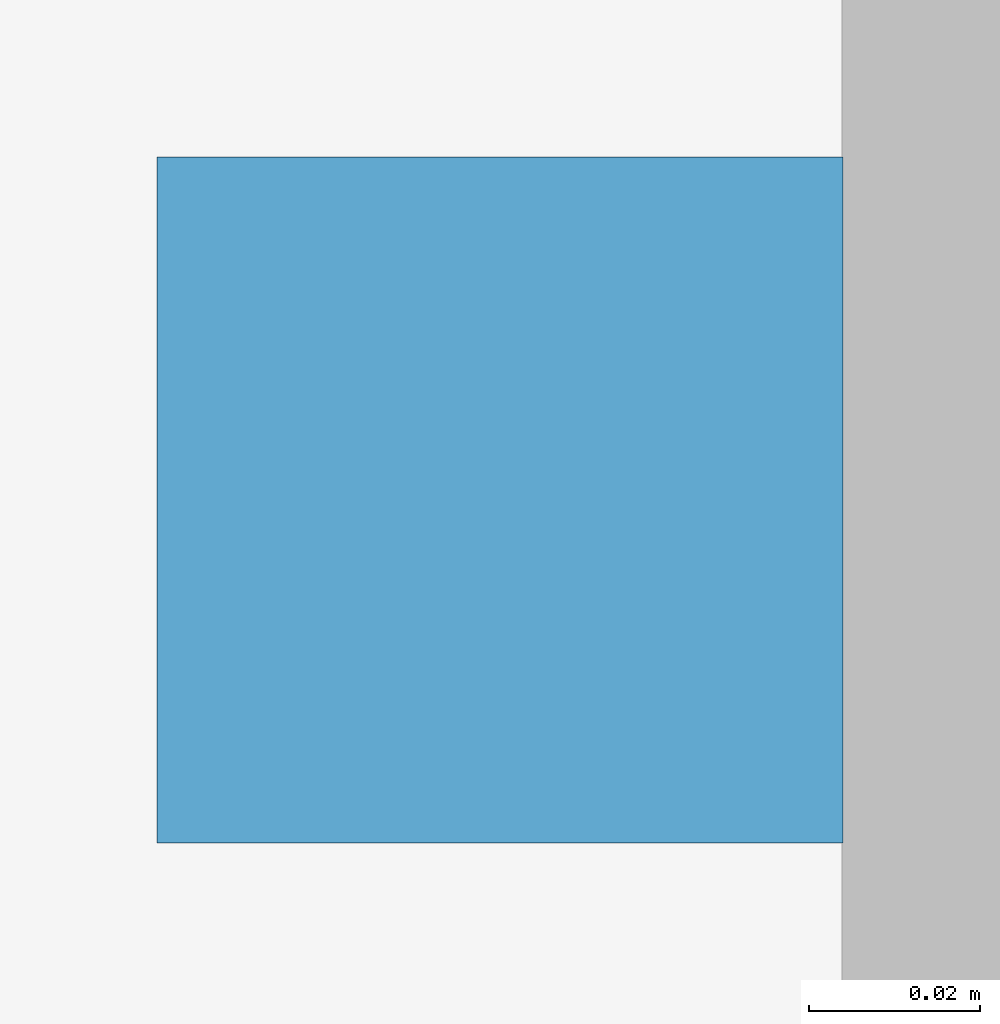
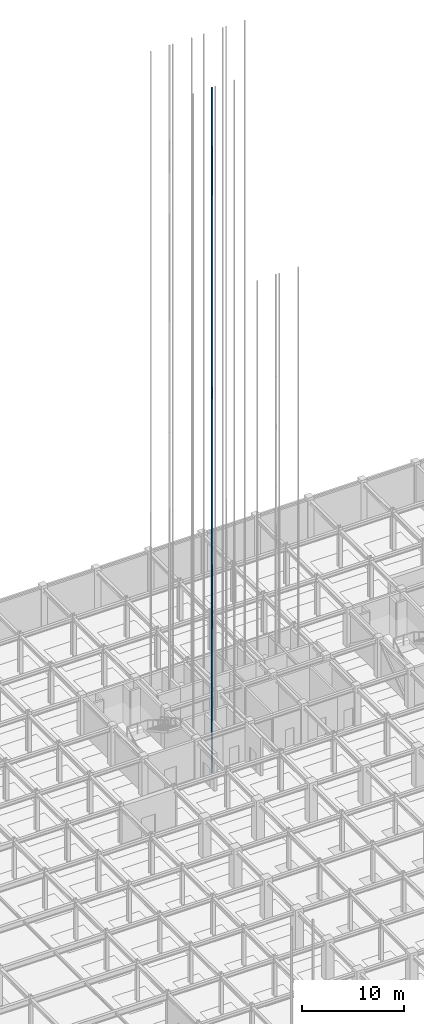
# One storey, part 53 of 69: 1 discrete accessory.
"""IFC4 building model written with IfcOpenShell, lengths in metres."""

from ifc_helpers import new_model, si_unit, direction, frame, origin, origin_2d, place, context, subcontext, project, spatial, rectangle, extrude, material, type_object, element, save


model = new_model("IFC4")

# Units and contexts
model_context = context("Model", 3, precision=1e-05, world=origin(), true_north=direction((0.0, 1.0)))
body_context = subcontext(model_context, "Body", "Model", "MODEL_VIEW")
ifc_project = project(units=[si_unit("LENGTHUNIT", "METRE"), si_unit("AREAUNIT", "SQUARE_METRE"), si_unit("VOLUMEUNIT", "CUBIC_METRE"), si_unit("PLANEANGLEUNIT", "RADIAN"), si_unit("MASSUNIT", "GRAM", prefix="KILO")], contexts=[model_context])

# Site, building, storey
site_placement = place(None, origin())
site = spatial("IfcSite", under=ifc_project, at=site_placement, CompositionType="ELEMENT")
building_placement = place(site_placement, origin())
building = spatial("IfcBuilding", under=site, at=building_placement, Name="Zlatovratsky Civic Hall", CompositionType="ELEMENT")
storey_placement = place(building_placement, frame((0.0, 0.0, -4.800048828125)))
storey = spatial("IfcBuildingStorey", under=building, at=storey_placement, Name="B1", CompositionType="ELEMENT", Elevation=-4.800048828125)

# Discrete accessory
ifc_material = material(Name="Steel S355", Category="steel")
discrete_accessory_type = type_object("IfcDiscreteAccessoryType", Name="Lift_GuideRail", PredefinedType="USERDEFINED", material=ifc_material)
discrete_accessory_placement = place(storey_placement, frame((74.81005859375, 85.85009765625, -1.60009765625), z_axis=(0.0, 0.0, 1.0), x_axis=(1.0, 0.0, 0.0)))
element("IfcDiscreteAccessory", 1, at=discrete_accessory_placement, inside=storey, type_object=discrete_accessory_type, Name="Lift Guide Rail LF-01 R", ObjectType="GUIDE RAIL", PredefinedType="USERDEFINED", context=body_context, shape_type="SweptSolid", body=[
    extrude(rectangle(XDim=0.080078125, YDim=0.080078125, at=origin_2d()), origin(), (0.0, 0.0, 1.0), 81.60009765625),
])

save(model, "model.ifc")
